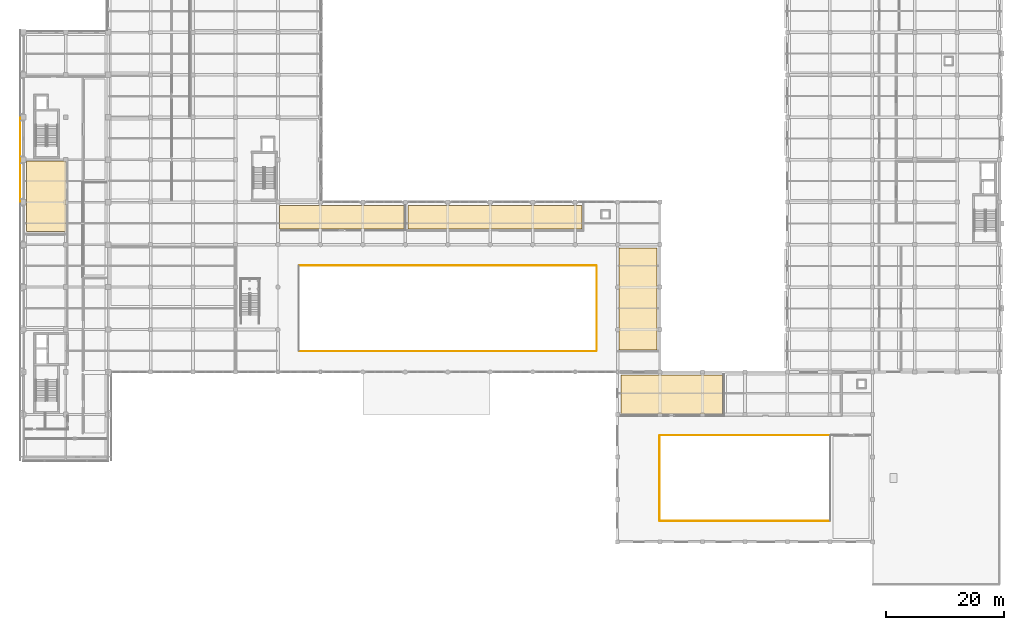
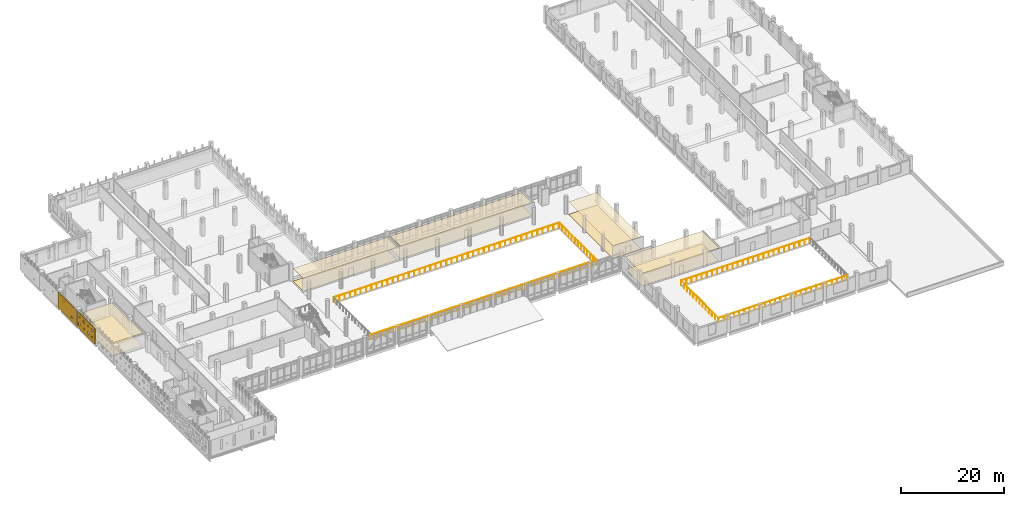
# One storey, part 50 of 57: 12 coverings, 6 railings.
"""IFC4 building model written with IfcOpenShell, lengths in metres."""

from ifc_helpers import new_model, si_unit, direction, frame, origin, origin_2d, place, context, subcontext, project, spatial, polyline, circle, outline, extrude, material, layer, layer_set, type_object, element, save


model = new_model("IFC4")

# Units and contexts
model_context = context("Model", 3, precision=1e-05, world=origin(), true_north=direction((0.0, 1.0)))
body_context = subcontext(model_context, "Body", "Model", "MODEL_VIEW")
ifc_project = project(units=[si_unit("LENGTHUNIT", "METRE"), si_unit("AREAUNIT", "SQUARE_METRE"), si_unit("VOLUMEUNIT", "CUBIC_METRE"), si_unit("PLANEANGLEUNIT", "RADIAN"), si_unit("MASSUNIT", "GRAM", prefix="KILO")], contexts=[model_context])

# Site, building, storey
site_placement = place(None, origin())
site = spatial("IfcSite", under=ifc_project, at=site_placement, CompositionType="ELEMENT")
building_placement = place(site_placement, origin())
building = spatial("IfcBuilding", under=site, at=building_placement, Name="Valkovuoma Quantum and Materials Research Institute", CompositionType="ELEMENT")
storey_placement = place(building_placement, frame((0.0, 0.0, 4.800048828125)))
storey = spatial("IfcBuildingStorey", under=building, at=storey_placement, Name="L01", CompositionType="ELEMENT", Elevation=4.800048828125)

# Coverings
ifc_material_1 = material(Name="Cleanable acoustic mineral-fibre suspended ceiling", Category="masonry")
ifc_layer_1 = layer(ifc_material_1, 0.02490234375)
ifc_layer_set_1 = layer_set([ifc_layer_1], Name="Cleanable acoustic mineral-fibre suspended ceiling")
covering_type_1 = type_object("IfcCoveringType", Name="Cov-CEIL-01", PredefinedType="CEILING", material=ifc_layer_set_1)
covering_1_placement = place(storey_placement, frame((0.0, 0.0, 3.0)))
element("IfcCovering", 1, at=covering_1_placement, inside=storey, type_object=covering_type_1, Name="L01 acoustic ceiling 0027", PredefinedType="CEILING", context=body_context, shape_type="SweptSolid", body=[
    extrude(outline(polyline([(0.550048828125, 59.85009765625), (7.25, 59.85009765625), (7.25, 71.75), (0.550048828125, 71.75), (0.550048828125, 59.85009765625)])), origin(), (0.0, 0.0, 1.0), 0.02490234375),
])
covering_2_placement = place(storey_placement, frame((0.0, 0.0, 3.0)))
element("IfcCovering", 2, at=covering_2_placement, inside=storey, type_object=covering_type_1, Name="L01 acoustic ceiling 0033", PredefinedType="CEILING", context=body_context, shape_type="SweptSolid", body=[
    extrude(outline(polyline([(101.35009765625, 28.85009765625), (118.550048828125, 28.85009765625), (118.550048828125, 35.449951171875), (101.35009765625, 35.449951171875), (101.35009765625, 28.85009765625)])), origin(), (0.0, 0.0, 1.0), 0.02490234375),
])
covering_3_placement = place(storey_placement, frame((0.0, 0.0, 3.0)))
element("IfcCovering", 3, at=covering_3_placement, inside=storey, type_object=covering_type_1, Name="L01 acoustic ceiling 0037", PredefinedType="CEILING", context=body_context, shape_type="SweptSolid", body=[
    extrude(outline(polyline([(43.449951171875, 60.25), (64.550048828125, 60.25), (64.550048828125, 64.25), (43.449951171875, 64.25), (43.449951171875, 60.25)])), origin(), (0.0, 0.0, 1.0), 0.02490234375),
])
covering_4_placement = place(storey_placement, frame((0.0, 0.0, 3.0)))
element("IfcCovering", 4, at=covering_4_placement, inside=storey, type_object=covering_type_1, Name="L01 acoustic ceiling 0038", PredefinedType="CEILING", context=body_context, shape_type="SweptSolid", body=[
    extrude(outline(polyline([(65.25, 60.25), (94.75, 60.25), (94.75, 64.25), (65.25, 64.25), (65.25, 60.25)])), origin(), (0.0, 0.0, 1.0), 0.02490234375),
])
covering_5_placement = place(storey_placement, frame((0.0, 0.0, 3.0)))
element("IfcCovering", 5, at=covering_5_placement, inside=storey, type_object=covering_type_1, Name="L01 acoustic ceiling 0039", PredefinedType="CEILING", context=body_context, shape_type="SweptSolid", body=[
    extrude(outline(polyline([(101.050048828125, 39.75), (107.449951171875, 39.75), (107.449951171875, 57.050048828125), (101.050048828125, 57.050048828125), (101.050048828125, 39.75)])), origin(), (0.0, 0.0, 1.0), 0.02490234375),
])
ifc_material_2 = material(Name="Seamless dissipative laboratory resin flooring", Category="masonry")
ifc_layer_2 = layer(ifc_material_2, 0.014892578125)
ifc_layer_set_2 = layer_set([ifc_layer_2], Name="Seamless dissipative laboratory resin flooring")
covering_type_2 = type_object("IfcCoveringType", Name="Cov-FLOR-01", PredefinedType="FLOORING", material=ifc_layer_set_2)
covering_6_placement = place(storey_placement, origin())
element("IfcCovering", 6, at=covering_6_placement, inside=storey, type_object=covering_type_2, Name="L01 resin flooring 0027", PredefinedType="FLOORING", context=body_context, shape_type="SweptSolid", body=[
    extrude(outline(polyline([(0.550048828125, 59.85009765625), (7.25, 59.85009765625), (7.25, 71.75), (0.550048828125, 71.75), (0.550048828125, 59.85009765625)])), origin(), (0.0, 0.0, 1.0), 0.014892578125),
])
covering_7_placement = place(storey_placement, origin())
element("IfcCovering", 7, at=covering_7_placement, inside=storey, type_object=covering_type_2, Name="L01 resin flooring 0033", PredefinedType="FLOORING", context=body_context, shape_type="SweptSolid", body=[
    extrude(outline(polyline([(101.35009765625, 28.85009765625), (118.550048828125, 28.85009765625), (118.550048828125, 35.449951171875), (101.35009765625, 35.449951171875), (101.35009765625, 28.85009765625)])), origin(), (0.0, 0.0, 1.0), 0.014892578125),
])
covering_8_placement = place(storey_placement, origin())
element("IfcCovering", 8, at=covering_8_placement, inside=storey, type_object=covering_type_2, Name="L01 resin flooring 0037", PredefinedType="FLOORING", context=body_context, shape_type="SweptSolid", body=[
    extrude(outline(polyline([(43.449951171875, 60.25), (64.550048828125, 60.25), (64.550048828125, 64.25), (43.449951171875, 64.25), (43.449951171875, 60.25)])), origin(), (0.0, 0.0, 1.0), 0.014892578125),
])
covering_9_placement = place(storey_placement, origin())
element("IfcCovering", 9, at=covering_9_placement, inside=storey, type_object=covering_type_2, Name="L01 resin flooring 0038", PredefinedType="FLOORING", context=body_context, shape_type="SweptSolid", body=[
    extrude(outline(polyline([(65.25, 60.25), (94.75, 60.25), (94.75, 64.25), (65.25, 64.25), (65.25, 60.25)])), origin(), (0.0, 0.0, 1.0), 0.014892578125),
])
covering_10_placement = place(storey_placement, origin())
element("IfcCovering", 10, at=covering_10_placement, inside=storey, type_object=covering_type_2, Name="L01 resin flooring 0039", PredefinedType="FLOORING", context=body_context, shape_type="SweptSolid", body=[
    extrude(outline(polyline([(101.050048828125, 39.75), (107.449951171875, 39.75), (107.449951171875, 57.050048828125), (101.050048828125, 57.050048828125), (101.050048828125, 39.75)])), origin(), (0.0, 0.0, 1.0), 0.014892578125),
])
ifc_material_3 = material(Name="White powder-coated aluminium architectural panel", Category="aluminium")
ifc_layer_3 = layer(ifc_material_3, 0.054931640625)
ifc_layer_set_3 = layer_set([ifc_layer_3], Name="White powder-coated aluminium architectural panel")
covering_type_3 = type_object("IfcCoveringType", Name="Cov-PERF-MID", PredefinedType="CLADDING", material=ifc_layer_set_3)
covering_11_placement = place(storey_placement, frame((-0.52001953125, 64.860107421875, 0.02001953125), z_axis=(0.0, 0.0, 1.0), x_axis=(0.0, 1.0, 0.0)))
element("IfcCovering", 11, at=covering_11_placement, inside=storey, type_object=covering_type_3, Name="L01 graduated perforated white screen W-0009", PredefinedType="CLADDING", context=body_context, shape_type="SweptSolid", body=[
    extrude(outline(polyline([(0.0, 0.0), (7.079833984375, 0.0), (7.079833984375, 3.77001953125), (0.0, 3.77001953125), (0.0, 0.0)]), holes=[polyline([(0.96240234375, 0.9326171875), (0.96240234375, 1.2724609375), (1.302490234375, 1.2724609375), (1.302490234375, 0.9326171875), (0.96240234375, 0.9326171875)]), polyline([(0.762451171875, 2.407470703125), (0.762451171875, 3.027587890625), (1.382568359375, 3.027587890625), (1.382568359375, 2.407470703125), (0.762451171875, 2.407470703125)]), polyline([(2.387451171875, 0.83251953125), (2.387451171875, 1.37255859375), (2.927490234375, 1.37255859375), (2.927490234375, 0.83251953125), (2.387451171875, 0.83251953125)]), polyline([(2.607421875, 2.547607421875), (2.607421875, 2.887451171875), (2.947509765625, 2.887451171875), (2.947509765625, 2.547607421875), (2.607421875, 2.547607421875)]), polyline([(4.172607421875, 0.91259765625), (4.172607421875, 1.29248046875), (4.552490234375, 1.29248046875), (4.552490234375, 0.91259765625), (4.172607421875, 0.91259765625)]), polyline([(4.032470703125, 2.447509765625), (4.032470703125, 2.987548828125), (4.572509765625, 2.987548828125), (4.572509765625, 2.447509765625), (4.032470703125, 2.447509765625)]), polyline([(5.757568359375, 0.79248046875), (5.757568359375, 1.41259765625), (6.37744140625, 1.41259765625), (6.37744140625, 0.79248046875), (5.757568359375, 0.79248046875)]), polyline([(5.8173828125, 2.527587890625), (5.8173828125, 2.907470703125), (6.197509765625, 2.907470703125), (6.197509765625, 2.527587890625), (5.8173828125, 2.527587890625)])]), frame((0.0, 0.02734375, 0.0), z_axis=(0.0, -1.0, 0.0), x_axis=(1.0, 0.0, 0.0)), (0.0, 0.0, 1.0), 0.054931640625),
])
ifc_material_4 = material(Name="White powder-coated aluminium architectural panel", Category="aluminium")
ifc_layer_4 = layer(ifc_material_4, 0.054931640625)
ifc_layer_set_4 = layer_set([ifc_layer_4], Name="White powder-coated aluminium architectural panel")
covering_type_4 = type_object("IfcCoveringType", Name="Cov-PERF-SPARSE", PredefinedType="CLADDING", material=ifc_layer_set_4)
covering_12_placement = place(storey_placement, frame((-0.52001953125, 72.06005859375, 0.02001953125), z_axis=(0.0, 0.0, 1.0), x_axis=(0.0, 1.0, 0.0)))
element("IfcCovering", 12, at=covering_12_placement, inside=storey, type_object=covering_type_4, Name="L01 graduated perforated white screen W-0010", PredefinedType="CLADDING", context=body_context, shape_type="SweptSolid", body=[
    extrude(outline(polyline([(0.0, 0.0), (7.079833984375, 0.0), (7.079833984375, 3.77001953125), (0.0, 3.77001953125), (0.0, 0.0)]), holes=[polyline([(1.635009765625, 0.802490234375), (1.635009765625, 1.202392578125), (2.034912109375, 1.202392578125), (2.034912109375, 0.802490234375), (1.635009765625, 0.802490234375)]), polyline([(4.925048828125, 2.5673828125), (4.925048828125, 2.967529296875), (5.324951171875, 2.967529296875), (5.324951171875, 2.5673828125), (4.925048828125, 2.5673828125)])]), frame((0.0, 0.02734375, 0.0), z_axis=(0.0, -1.0, 0.0), x_axis=(1.0, 0.0, 0.0)), (0.0, 0.0, 1.0), 0.054931640625),
])

# Railings
ifc_material_5 = material(Name="Hot-dip galvanised and powder-coated steel guardrail", Category="steel")
railing_type = type_object("IfcRailingType", Name="Rail-GRD-EXT", PredefinedType="BALUSTRADE", material=ifc_material_5)
railing_1_placement = place(storey_placement, frame((46.800048828125, 39.52001953125, 0.0)))
element("IfcRailing", 13, at=railing_1_placement, inside=storey, type_object=railing_type, Name="L01 atrium_void balustrade S", PredefinedType="BALUSTRADE", context=body_context, shape_type="SweptSolid", body=[
    extrude(circle(Radius=0.02392578125, at=origin_2d()), frame((0.0, 0.0, 1.17578125), z_axis=(1.0, 0.0, 0.0), x_axis=(0.0, 1.0, 0.0)), (0.0, 0.0, 1.0), 50.39990234375),
    extrude(circle(Radius=0.02099609375, at=origin_2d()), origin(), (0.0, 0.0, 1.0), 1.15185546875),
    extrude(circle(Radius=0.02099609375, at=origin_2d()), frame((1.199951171875, 0.0, 0.0)), (0.0, 0.0, 1.0), 1.15185546875),
    extrude(circle(Radius=0.02099609375, at=origin_2d()), frame((2.39990234375, 0.0, 0.0)), (0.0, 0.0, 1.0), 1.15185546875),
    extrude(circle(Radius=0.02099609375, at=origin_2d()), frame((3.60009765625, 0.0, 0.0)), (0.0, 0.0, 1.0), 1.15185546875),
    extrude(circle(Radius=0.02099609375, at=origin_2d()), frame((4.800048828125, 0.0, 0.0)), (0.0, 0.0, 1.0), 1.15185546875),
    extrude(circle(Radius=0.02099609375, at=origin_2d()), frame((6.0, 0.0, 0.0)), (0.0, 0.0, 1.0), 1.15185546875),
    extrude(circle(Radius=0.02099609375, at=origin_2d()), frame((7.199951171875, 0.0, 0.0)), (0.0, 0.0, 1.0), 1.15185546875),
    extrude(circle(Radius=0.02099609375, at=origin_2d()), frame((8.39990234375, 0.0, 0.0)), (0.0, 0.0, 1.0), 1.15185546875),
    extrude(circle(Radius=0.02099609375, at=origin_2d()), frame((9.60009765625, 0.0, 0.0)), (0.0, 0.0, 1.0), 1.15185546875),
    extrude(circle(Radius=0.02099609375, at=origin_2d()), frame((10.800048828125, 0.0, 0.0)), (0.0, 0.0, 1.0), 1.15185546875),
    extrude(circle(Radius=0.02099609375, at=origin_2d()), frame((12.0, 0.0, 0.0)), (0.0, 0.0, 1.0), 1.15185546875),
    extrude(circle(Radius=0.02099609375, at=origin_2d()), frame((13.199951171875, 0.0, 0.0)), (0.0, 0.0, 1.0), 1.15185546875),
    extrude(circle(Radius=0.02099609375, at=origin_2d()), frame((14.39990234375, 0.0, 0.0)), (0.0, 0.0, 1.0), 1.15185546875),
    extrude(circle(Radius=0.02099609375, at=origin_2d()), frame((15.599853515625, 0.0, 0.0)), (0.0, 0.0, 1.0), 1.15185546875),
    extrude(circle(Radius=0.02099609375, at=origin_2d()), frame((16.800048828125, 0.0, 0.0)), (0.0, 0.0, 1.0), 1.15185546875),
    extrude(circle(Radius=0.02099609375, at=origin_2d()), frame((18.0, 0.0, 0.0)), (0.0, 0.0, 1.0), 1.15185546875),
    extrude(circle(Radius=0.02099609375, at=origin_2d()), frame((19.199951171875, 0.0, 0.0)), (0.0, 0.0, 1.0), 1.15185546875),
    extrude(circle(Radius=0.02099609375, at=origin_2d()), frame((20.39990234375, 0.0, 0.0)), (0.0, 0.0, 1.0), 1.15185546875),
    extrude(circle(Radius=0.02099609375, at=origin_2d()), frame((21.599853515625, 0.0, 0.0)), (0.0, 0.0, 1.0), 1.15185546875),
    extrude(circle(Radius=0.02099609375, at=origin_2d()), frame((22.800048828125, 0.0, 0.0)), (0.0, 0.0, 1.0), 1.15185546875),
    extrude(circle(Radius=0.02099609375, at=origin_2d()), frame((24.0, 0.0, 0.0)), (0.0, 0.0, 1.0), 1.15185546875),
    extrude(circle(Radius=0.02099609375, at=origin_2d()), frame((25.199951171875, 0.0, 0.0)), (0.0, 0.0, 1.0), 1.15185546875),
    extrude(circle(Radius=0.02099609375, at=origin_2d()), frame((26.39990234375, 0.0, 0.0)), (0.0, 0.0, 1.0), 1.15185546875),
    extrude(circle(Radius=0.02099609375, at=origin_2d()), frame((27.599853515625, 0.0, 0.0)), (0.0, 0.0, 1.0), 1.15185546875),
    extrude(circle(Radius=0.02099609375, at=origin_2d()), frame((28.800048828125, 0.0, 0.0)), (0.0, 0.0, 1.0), 1.15185546875),
    extrude(circle(Radius=0.02099609375, at=origin_2d()), frame((30.0, 0.0, 0.0)), (0.0, 0.0, 1.0), 1.15185546875),
    extrude(circle(Radius=0.02099609375, at=origin_2d()), frame((31.199951171875, 0.0, 0.0)), (0.0, 0.0, 1.0), 1.15185546875),
    extrude(circle(Radius=0.02099609375, at=origin_2d()), frame((32.39990234375, 0.0, 0.0)), (0.0, 0.0, 1.0), 1.15185546875),
    extrude(circle(Radius=0.02099609375, at=origin_2d()), frame((33.599853515625, 0.0, 0.0)), (0.0, 0.0, 1.0), 1.15185546875),
    extrude(circle(Radius=0.02099609375, at=origin_2d()), frame((34.800048828125, 0.0, 0.0)), (0.0, 0.0, 1.0), 1.15185546875),
    extrude(circle(Radius=0.02099609375, at=origin_2d()), frame((36.0, 0.0, 0.0)), (0.0, 0.0, 1.0), 1.15185546875),
    extrude(circle(Radius=0.02099609375, at=origin_2d()), frame((37.199951171875, 0.0, 0.0)), (0.0, 0.0, 1.0), 1.15185546875),
    extrude(circle(Radius=0.02099609375, at=origin_2d()), frame((38.39990234375, 0.0, 0.0)), (0.0, 0.0, 1.0), 1.15185546875),
    extrude(circle(Radius=0.02099609375, at=origin_2d()), frame((39.599853515625, 0.0, 0.0)), (0.0, 0.0, 1.0), 1.15185546875),
    extrude(circle(Radius=0.02099609375, at=origin_2d()), frame((40.7998046875, 0.0, 0.0)), (0.0, 0.0, 1.0), 1.15185546875),
    extrude(circle(Radius=0.02099609375, at=origin_2d()), frame((42.0, 0.0, 0.0)), (0.0, 0.0, 1.0), 1.15185546875),
    extrude(circle(Radius=0.02099609375, at=origin_2d()), frame((43.199951171875, 0.0, 0.0)), (0.0, 0.0, 1.0), 1.15185546875),
    extrude(circle(Radius=0.02099609375, at=origin_2d()), frame((44.39990234375, 0.0, 0.0)), (0.0, 0.0, 1.0), 1.15185546875),
    extrude(circle(Radius=0.02099609375, at=origin_2d()), frame((45.599853515625, 0.0, 0.0)), (0.0, 0.0, 1.0), 1.15185546875),
    extrude(circle(Radius=0.02099609375, at=origin_2d()), frame((46.7998046875, 0.0, 0.0)), (0.0, 0.0, 1.0), 1.15185546875),
    extrude(circle(Radius=0.02099609375, at=origin_2d()), frame((48.0, 0.0, 0.0)), (0.0, 0.0, 1.0), 1.15185546875),
    extrude(circle(Radius=0.02099609375, at=origin_2d()), frame((49.199951171875, 0.0, 0.0)), (0.0, 0.0, 1.0), 1.15185546875),
    extrude(circle(Radius=0.02099609375, at=origin_2d()), frame((50.39990234375, 0.0, 0.0)), (0.0, 0.0, 1.0), 1.15185546875),
])
railing_2_placement = place(storey_placement, frame((46.800048828125, 54.080078125, 0.0)))
element("IfcRailing", 14, at=railing_2_placement, inside=storey, type_object=railing_type, Name="L01 atrium_void balustrade N", PredefinedType="BALUSTRADE", context=body_context, shape_type="SweptSolid", body=[
    extrude(circle(Radius=0.02392578125, at=origin_2d()), frame((0.0, 0.0, 1.17578125), z_axis=(1.0, 0.0, 0.0), x_axis=(0.0, 1.0, 0.0)), (0.0, 0.0, 1.0), 50.39990234375),
    extrude(circle(Radius=0.02099609375, at=origin_2d()), origin(), (0.0, 0.0, 1.0), 1.15185546875),
    extrude(circle(Radius=0.02099609375, at=origin_2d()), frame((1.199951171875, 0.0, 0.0)), (0.0, 0.0, 1.0), 1.15185546875),
    extrude(circle(Radius=0.02099609375, at=origin_2d()), frame((2.39990234375, 0.0, 0.0)), (0.0, 0.0, 1.0), 1.15185546875),
    extrude(circle(Radius=0.02099609375, at=origin_2d()), frame((3.60009765625, 0.0, 0.0)), (0.0, 0.0, 1.0), 1.15185546875),
    extrude(circle(Radius=0.02099609375, at=origin_2d()), frame((4.800048828125, 0.0, 0.0)), (0.0, 0.0, 1.0), 1.15185546875),
    extrude(circle(Radius=0.02099609375, at=origin_2d()), frame((6.0, 0.0, 0.0)), (0.0, 0.0, 1.0), 1.15185546875),
    extrude(circle(Radius=0.02099609375, at=origin_2d()), frame((7.199951171875, 0.0, 0.0)), (0.0, 0.0, 1.0), 1.15185546875),
    extrude(circle(Radius=0.02099609375, at=origin_2d()), frame((8.39990234375, 0.0, 0.0)), (0.0, 0.0, 1.0), 1.15185546875),
    extrude(circle(Radius=0.02099609375, at=origin_2d()), frame((9.60009765625, 0.0, 0.0)), (0.0, 0.0, 1.0), 1.15185546875),
    extrude(circle(Radius=0.02099609375, at=origin_2d()), frame((10.800048828125, 0.0, 0.0)), (0.0, 0.0, 1.0), 1.15185546875),
    extrude(circle(Radius=0.02099609375, at=origin_2d()), frame((12.0, 0.0, 0.0)), (0.0, 0.0, 1.0), 1.15185546875),
    extrude(circle(Radius=0.02099609375, at=origin_2d()), frame((13.199951171875, 0.0, 0.0)), (0.0, 0.0, 1.0), 1.15185546875),
    extrude(circle(Radius=0.02099609375, at=origin_2d()), frame((14.39990234375, 0.0, 0.0)), (0.0, 0.0, 1.0), 1.15185546875),
    extrude(circle(Radius=0.02099609375, at=origin_2d()), frame((15.599853515625, 0.0, 0.0)), (0.0, 0.0, 1.0), 1.15185546875),
    extrude(circle(Radius=0.02099609375, at=origin_2d()), frame((16.800048828125, 0.0, 0.0)), (0.0, 0.0, 1.0), 1.15185546875),
    extrude(circle(Radius=0.02099609375, at=origin_2d()), frame((18.0, 0.0, 0.0)), (0.0, 0.0, 1.0), 1.15185546875),
    extrude(circle(Radius=0.02099609375, at=origin_2d()), frame((19.199951171875, 0.0, 0.0)), (0.0, 0.0, 1.0), 1.15185546875),
    extrude(circle(Radius=0.02099609375, at=origin_2d()), frame((20.39990234375, 0.0, 0.0)), (0.0, 0.0, 1.0), 1.15185546875),
    extrude(circle(Radius=0.02099609375, at=origin_2d()), frame((21.599853515625, 0.0, 0.0)), (0.0, 0.0, 1.0), 1.15185546875),
    extrude(circle(Radius=0.02099609375, at=origin_2d()), frame((22.800048828125, 0.0, 0.0)), (0.0, 0.0, 1.0), 1.15185546875),
    extrude(circle(Radius=0.02099609375, at=origin_2d()), frame((24.0, 0.0, 0.0)), (0.0, 0.0, 1.0), 1.15185546875),
    extrude(circle(Radius=0.02099609375, at=origin_2d()), frame((25.199951171875, 0.0, 0.0)), (0.0, 0.0, 1.0), 1.15185546875),
    extrude(circle(Radius=0.02099609375, at=origin_2d()), frame((26.39990234375, 0.0, 0.0)), (0.0, 0.0, 1.0), 1.15185546875),
    extrude(circle(Radius=0.02099609375, at=origin_2d()), frame((27.599853515625, 0.0, 0.0)), (0.0, 0.0, 1.0), 1.15185546875),
    extrude(circle(Radius=0.02099609375, at=origin_2d()), frame((28.800048828125, 0.0, 0.0)), (0.0, 0.0, 1.0), 1.15185546875),
    extrude(circle(Radius=0.02099609375, at=origin_2d()), frame((30.0, 0.0, 0.0)), (0.0, 0.0, 1.0), 1.15185546875),
    extrude(circle(Radius=0.02099609375, at=origin_2d()), frame((31.199951171875, 0.0, 0.0)), (0.0, 0.0, 1.0), 1.15185546875),
    extrude(circle(Radius=0.02099609375, at=origin_2d()), frame((32.39990234375, 0.0, 0.0)), (0.0, 0.0, 1.0), 1.15185546875),
    extrude(circle(Radius=0.02099609375, at=origin_2d()), frame((33.599853515625, 0.0, 0.0)), (0.0, 0.0, 1.0), 1.15185546875),
    extrude(circle(Radius=0.02099609375, at=origin_2d()), frame((34.800048828125, 0.0, 0.0)), (0.0, 0.0, 1.0), 1.15185546875),
    extrude(circle(Radius=0.02099609375, at=origin_2d()), frame((36.0, 0.0, 0.0)), (0.0, 0.0, 1.0), 1.15185546875),
    extrude(circle(Radius=0.02099609375, at=origin_2d()), frame((37.199951171875, 0.0, 0.0)), (0.0, 0.0, 1.0), 1.15185546875),
    extrude(circle(Radius=0.02099609375, at=origin_2d()), frame((38.39990234375, 0.0, 0.0)), (0.0, 0.0, 1.0), 1.15185546875),
    extrude(circle(Radius=0.02099609375, at=origin_2d()), frame((39.599853515625, 0.0, 0.0)), (0.0, 0.0, 1.0), 1.15185546875),
    extrude(circle(Radius=0.02099609375, at=origin_2d()), frame((40.7998046875, 0.0, 0.0)), (0.0, 0.0, 1.0), 1.15185546875),
    extrude(circle(Radius=0.02099609375, at=origin_2d()), frame((42.0, 0.0, 0.0)), (0.0, 0.0, 1.0), 1.15185546875),
    extrude(circle(Radius=0.02099609375, at=origin_2d()), frame((43.199951171875, 0.0, 0.0)), (0.0, 0.0, 1.0), 1.15185546875),
    extrude(circle(Radius=0.02099609375, at=origin_2d()), frame((44.39990234375, 0.0, 0.0)), (0.0, 0.0, 1.0), 1.15185546875),
    extrude(circle(Radius=0.02099609375, at=origin_2d()), frame((45.599853515625, 0.0, 0.0)), (0.0, 0.0, 1.0), 1.15185546875),
    extrude(circle(Radius=0.02099609375, at=origin_2d()), frame((46.7998046875, 0.0, 0.0)), (0.0, 0.0, 1.0), 1.15185546875),
    extrude(circle(Radius=0.02099609375, at=origin_2d()), frame((48.0, 0.0, 0.0)), (0.0, 0.0, 1.0), 1.15185546875),
    extrude(circle(Radius=0.02099609375, at=origin_2d()), frame((49.199951171875, 0.0, 0.0)), (0.0, 0.0, 1.0), 1.15185546875),
    extrude(circle(Radius=0.02099609375, at=origin_2d()), frame((50.39990234375, 0.0, 0.0)), (0.0, 0.0, 1.0), 1.15185546875),
])
railing_3_placement = place(storey_placement, frame((97.280029296875, 39.60009765625, 0.0)))
element("IfcRailing", 15, at=railing_3_placement, inside=storey, type_object=railing_type, Name="L01 atrium_void balustrade E", PredefinedType="BALUSTRADE", context=body_context, shape_type="SweptSolid", body=[
    extrude(circle(Radius=0.02392578125, at=origin_2d()), frame((0.0, 0.0, 1.17578125), z_axis=(0.0, 1.0, 0.0), x_axis=(-1.0, 0.0, 0.0)), (0.0, 0.0, 1.0), 14.39990234375),
    extrude(circle(Radius=0.02099609375, at=origin_2d()), origin(), (0.0, 0.0, 1.0), 1.15185546875),
    extrude(circle(Radius=0.02099609375, at=origin_2d()), frame((0.0, 1.199951171875, 0.0)), (0.0, 0.0, 1.0), 1.15185546875),
    extrude(circle(Radius=0.02099609375, at=origin_2d()), frame((0.0, 2.39990234375, 0.0)), (0.0, 0.0, 1.0), 1.15185546875),
    extrude(circle(Radius=0.02099609375, at=origin_2d()), frame((0.0, 3.60009765625, 0.0)), (0.0, 0.0, 1.0), 1.15185546875),
    extrude(circle(Radius=0.02099609375, at=origin_2d()), frame((0.0, 4.800048828125, 0.0)), (0.0, 0.0, 1.0), 1.15185546875),
    extrude(circle(Radius=0.02099609375, at=origin_2d()), frame((0.0, 6.0, 0.0)), (0.0, 0.0, 1.0), 1.15185546875),
    extrude(circle(Radius=0.02099609375, at=origin_2d()), frame((0.0, 7.199951171875, 0.0)), (0.0, 0.0, 1.0), 1.15185546875),
    extrude(circle(Radius=0.02099609375, at=origin_2d()), frame((0.0, 8.39990234375, 0.0)), (0.0, 0.0, 1.0), 1.15185546875),
    extrude(circle(Radius=0.02099609375, at=origin_2d()), frame((0.0, 9.599853515625, 0.0)), (0.0, 0.0, 1.0), 1.15185546875),
    extrude(circle(Radius=0.02099609375, at=origin_2d()), frame((0.0, 10.7998046875, 0.0)), (0.0, 0.0, 1.0), 1.15185546875),
    extrude(circle(Radius=0.02099609375, at=origin_2d()), frame((0.0, 12.0, 0.0)), (0.0, 0.0, 1.0), 1.15185546875),
    extrude(circle(Radius=0.02099609375, at=origin_2d()), frame((0.0, 13.199951171875, 0.0)), (0.0, 0.0, 1.0), 1.15185546875),
    extrude(circle(Radius=0.02099609375, at=origin_2d()), frame((0.0, 14.39990234375, 0.0)), (0.0, 0.0, 1.0), 1.15185546875),
])
railing_4_placement = place(storey_placement, frame((108.0, 10.719970703125, 0.0)))
element("IfcRailing", 16, at=railing_4_placement, inside=storey, type_object=railing_type, Name="L01 lecture_void balustrade S", PredefinedType="BALUSTRADE", context=body_context, shape_type="SweptSolid", body=[
    extrude(circle(Radius=0.02392578125, at=origin_2d()), frame((0.0, 0.0, 1.17578125), z_axis=(1.0, 0.0, 0.0), x_axis=(0.0, 1.0, 0.0)), (0.0, 0.0, 1.0), 28.800048828125),
    extrude(circle(Radius=0.02099609375, at=origin_2d()), origin(), (0.0, 0.0, 1.0), 1.15185546875),
    extrude(circle(Radius=0.02099609375, at=origin_2d()), frame((1.152099609375, 0.0, 0.0)), (0.0, 0.0, 1.0), 1.15185546875),
    extrude(circle(Radius=0.02099609375, at=origin_2d()), frame((2.303955078125, 0.0, 0.0)), (0.0, 0.0, 1.0), 1.15185546875),
    extrude(circle(Radius=0.02099609375, at=origin_2d()), frame((3.4560546875, 0.0, 0.0)), (0.0, 0.0, 1.0), 1.15185546875),
    extrude(circle(Radius=0.02099609375, at=origin_2d()), frame((4.60791015625, 0.0, 0.0)), (0.0, 0.0, 1.0), 1.15185546875),
    extrude(circle(Radius=0.02099609375, at=origin_2d()), frame((5.760009765625, 0.0, 0.0)), (0.0, 0.0, 1.0), 1.15185546875),
    extrude(circle(Radius=0.02099609375, at=origin_2d()), frame((6.912109375, 0.0, 0.0)), (0.0, 0.0, 1.0), 1.15185546875),
    extrude(circle(Radius=0.02099609375, at=origin_2d()), frame((8.06396484375, 0.0, 0.0)), (0.0, 0.0, 1.0), 1.15185546875),
    extrude(circle(Radius=0.02099609375, at=origin_2d()), frame((9.216064453125, 0.0, 0.0)), (0.0, 0.0, 1.0), 1.15185546875),
    extrude(circle(Radius=0.02099609375, at=origin_2d()), frame((10.367919921875, 0.0, 0.0)), (0.0, 0.0, 1.0), 1.15185546875),
    extrude(circle(Radius=0.02099609375, at=origin_2d()), frame((11.52001953125, 0.0, 0.0)), (0.0, 0.0, 1.0), 1.15185546875),
    extrude(circle(Radius=0.02099609375, at=origin_2d()), frame((12.672119140625, 0.0, 0.0)), (0.0, 0.0, 1.0), 1.15185546875),
    extrude(circle(Radius=0.02099609375, at=origin_2d()), frame((13.823974609375, 0.0, 0.0)), (0.0, 0.0, 1.0), 1.15185546875),
    extrude(circle(Radius=0.02099609375, at=origin_2d()), frame((14.97607421875, 0.0, 0.0)), (0.0, 0.0, 1.0), 1.15185546875),
    extrude(circle(Radius=0.02099609375, at=origin_2d()), frame((16.1279296875, 0.0, 0.0)), (0.0, 0.0, 1.0), 1.15185546875),
    extrude(circle(Radius=0.02099609375, at=origin_2d()), frame((17.280029296875, 0.0, 0.0)), (0.0, 0.0, 1.0), 1.15185546875),
    extrude(circle(Radius=0.02099609375, at=origin_2d()), frame((18.43212890625, 0.0, 0.0)), (0.0, 0.0, 1.0), 1.15185546875),
    extrude(circle(Radius=0.02099609375, at=origin_2d()), frame((19.583984375, 0.0, 0.0)), (0.0, 0.0, 1.0), 1.15185546875),
    extrude(circle(Radius=0.02099609375, at=origin_2d()), frame((20.736083984375, 0.0, 0.0)), (0.0, 0.0, 1.0), 1.15185546875),
    extrude(circle(Radius=0.02099609375, at=origin_2d()), frame((21.887939453125, 0.0, 0.0)), (0.0, 0.0, 1.0), 1.15185546875),
    extrude(circle(Radius=0.02099609375, at=origin_2d()), frame((23.0400390625, 0.0, 0.0)), (0.0, 0.0, 1.0), 1.15185546875),
    extrude(circle(Radius=0.02099609375, at=origin_2d()), frame((24.192138671875, 0.0, 0.0)), (0.0, 0.0, 1.0), 1.15185546875),
    extrude(circle(Radius=0.02099609375, at=origin_2d()), frame((25.343994140625, 0.0, 0.0)), (0.0, 0.0, 1.0), 1.15185546875),
    extrude(circle(Radius=0.02099609375, at=origin_2d()), frame((26.49609375, 0.0, 0.0)), (0.0, 0.0, 1.0), 1.15185546875),
    extrude(circle(Radius=0.02099609375, at=origin_2d()), frame((27.64794921875, 0.0, 0.0)), (0.0, 0.0, 1.0), 1.15185546875),
    extrude(circle(Radius=0.02099609375, at=origin_2d()), frame((28.800048828125, 0.0, 0.0)), (0.0, 0.0, 1.0), 1.15185546875),
])
railing_5_placement = place(storey_placement, frame((108.0, 25.280029296875, 0.0)))
element("IfcRailing", 17, at=railing_5_placement, inside=storey, type_object=railing_type, Name="L01 lecture_void balustrade N", PredefinedType="BALUSTRADE", context=body_context, shape_type="SweptSolid", body=[
    extrude(circle(Radius=0.02392578125, at=origin_2d()), frame((0.0, 0.0, 1.17578125), z_axis=(1.0, 0.0, 0.0), x_axis=(0.0, 1.0, 0.0)), (0.0, 0.0, 1.0), 28.800048828125),
    extrude(circle(Radius=0.02099609375, at=origin_2d()), origin(), (0.0, 0.0, 1.0), 1.15185546875),
    extrude(circle(Radius=0.02099609375, at=origin_2d()), frame((1.152099609375, 0.0, 0.0)), (0.0, 0.0, 1.0), 1.15185546875),
    extrude(circle(Radius=0.02099609375, at=origin_2d()), frame((2.303955078125, 0.0, 0.0)), (0.0, 0.0, 1.0), 1.15185546875),
    extrude(circle(Radius=0.02099609375, at=origin_2d()), frame((3.4560546875, 0.0, 0.0)), (0.0, 0.0, 1.0), 1.15185546875),
    extrude(circle(Radius=0.02099609375, at=origin_2d()), frame((4.60791015625, 0.0, 0.0)), (0.0, 0.0, 1.0), 1.15185546875),
    extrude(circle(Radius=0.02099609375, at=origin_2d()), frame((5.760009765625, 0.0, 0.0)), (0.0, 0.0, 1.0), 1.15185546875),
    extrude(circle(Radius=0.02099609375, at=origin_2d()), frame((6.912109375, 0.0, 0.0)), (0.0, 0.0, 1.0), 1.15185546875),
    extrude(circle(Radius=0.02099609375, at=origin_2d()), frame((8.06396484375, 0.0, 0.0)), (0.0, 0.0, 1.0), 1.15185546875),
    extrude(circle(Radius=0.02099609375, at=origin_2d()), frame((9.216064453125, 0.0, 0.0)), (0.0, 0.0, 1.0), 1.15185546875),
    extrude(circle(Radius=0.02099609375, at=origin_2d()), frame((10.367919921875, 0.0, 0.0)), (0.0, 0.0, 1.0), 1.15185546875),
    extrude(circle(Radius=0.02099609375, at=origin_2d()), frame((11.52001953125, 0.0, 0.0)), (0.0, 0.0, 1.0), 1.15185546875),
    extrude(circle(Radius=0.02099609375, at=origin_2d()), frame((12.672119140625, 0.0, 0.0)), (0.0, 0.0, 1.0), 1.15185546875),
    extrude(circle(Radius=0.02099609375, at=origin_2d()), frame((13.823974609375, 0.0, 0.0)), (0.0, 0.0, 1.0), 1.15185546875),
    extrude(circle(Radius=0.02099609375, at=origin_2d()), frame((14.97607421875, 0.0, 0.0)), (0.0, 0.0, 1.0), 1.15185546875),
    extrude(circle(Radius=0.02099609375, at=origin_2d()), frame((16.1279296875, 0.0, 0.0)), (0.0, 0.0, 1.0), 1.15185546875),
    extrude(circle(Radius=0.02099609375, at=origin_2d()), frame((17.280029296875, 0.0, 0.0)), (0.0, 0.0, 1.0), 1.15185546875),
    extrude(circle(Radius=0.02099609375, at=origin_2d()), frame((18.43212890625, 0.0, 0.0)), (0.0, 0.0, 1.0), 1.15185546875),
    extrude(circle(Radius=0.02099609375, at=origin_2d()), frame((19.583984375, 0.0, 0.0)), (0.0, 0.0, 1.0), 1.15185546875),
    extrude(circle(Radius=0.02099609375, at=origin_2d()), frame((20.736083984375, 0.0, 0.0)), (0.0, 0.0, 1.0), 1.15185546875),
    extrude(circle(Radius=0.02099609375, at=origin_2d()), frame((21.887939453125, 0.0, 0.0)), (0.0, 0.0, 1.0), 1.15185546875),
    extrude(circle(Radius=0.02099609375, at=origin_2d()), frame((23.0400390625, 0.0, 0.0)), (0.0, 0.0, 1.0), 1.15185546875),
    extrude(circle(Radius=0.02099609375, at=origin_2d()), frame((24.192138671875, 0.0, 0.0)), (0.0, 0.0, 1.0), 1.15185546875),
    extrude(circle(Radius=0.02099609375, at=origin_2d()), frame((25.343994140625, 0.0, 0.0)), (0.0, 0.0, 1.0), 1.15185546875),
    extrude(circle(Radius=0.02099609375, at=origin_2d()), frame((26.49609375, 0.0, 0.0)), (0.0, 0.0, 1.0), 1.15185546875),
    extrude(circle(Radius=0.02099609375, at=origin_2d()), frame((27.64794921875, 0.0, 0.0)), (0.0, 0.0, 1.0), 1.15185546875),
    extrude(circle(Radius=0.02099609375, at=origin_2d()), frame((28.800048828125, 0.0, 0.0)), (0.0, 0.0, 1.0), 1.15185546875),
])
railing_6_placement = place(storey_placement, frame((107.919921875, 10.800048828125, 0.0)))
element("IfcRailing", 18, at=railing_6_placement, inside=storey, type_object=railing_type, Name="L01 lecture_void balustrade W", PredefinedType="BALUSTRADE", context=body_context, shape_type="SweptSolid", body=[
    extrude(circle(Radius=0.02392578125, at=origin_2d()), frame((0.0, 0.0, 1.17578125), z_axis=(0.0, 1.0, 0.0), x_axis=(-1.0, 0.0, 0.0)), (0.0, 0.0, 1.0), 14.39990234375),
    extrude(circle(Radius=0.02099609375, at=origin_2d()), origin(), (0.0, 0.0, 1.0), 1.15185546875),
    extrude(circle(Radius=0.02099609375, at=origin_2d()), frame((0.0, 1.199951171875, 0.0)), (0.0, 0.0, 1.0), 1.15185546875),
    extrude(circle(Radius=0.02099609375, at=origin_2d()), frame((0.0, 2.39990234375, 0.0)), (0.0, 0.0, 1.0), 1.15185546875),
    extrude(circle(Radius=0.02099609375, at=origin_2d()), frame((0.0, 3.60009765625, 0.0)), (0.0, 0.0, 1.0), 1.15185546875),
    extrude(circle(Radius=0.02099609375, at=origin_2d()), frame((0.0, 4.800048828125, 0.0)), (0.0, 0.0, 1.0), 1.15185546875),
    extrude(circle(Radius=0.02099609375, at=origin_2d()), frame((0.0, 6.0, 0.0)), (0.0, 0.0, 1.0), 1.15185546875),
    extrude(circle(Radius=0.02099609375, at=origin_2d()), frame((0.0, 7.199951171875, 0.0)), (0.0, 0.0, 1.0), 1.15185546875),
    extrude(circle(Radius=0.02099609375, at=origin_2d()), frame((0.0, 8.39990234375, 0.0)), (0.0, 0.0, 1.0), 1.15185546875),
    extrude(circle(Radius=0.02099609375, at=origin_2d()), frame((0.0, 9.599853515625, 0.0)), (0.0, 0.0, 1.0), 1.15185546875),
    extrude(circle(Radius=0.02099609375, at=origin_2d()), frame((0.0, 10.7998046875, 0.0)), (0.0, 0.0, 1.0), 1.15185546875),
    extrude(circle(Radius=0.02099609375, at=origin_2d()), frame((0.0, 12.0, 0.0)), (0.0, 0.0, 1.0), 1.15185546875),
    extrude(circle(Radius=0.02099609375, at=origin_2d()), frame((0.0, 13.199951171875, 0.0)), (0.0, 0.0, 1.0), 1.15185546875),
    extrude(circle(Radius=0.02099609375, at=origin_2d()), frame((0.0, 14.39990234375, 0.0)), (0.0, 0.0, 1.0), 1.15185546875),
])

save(model, "model.ifc")
